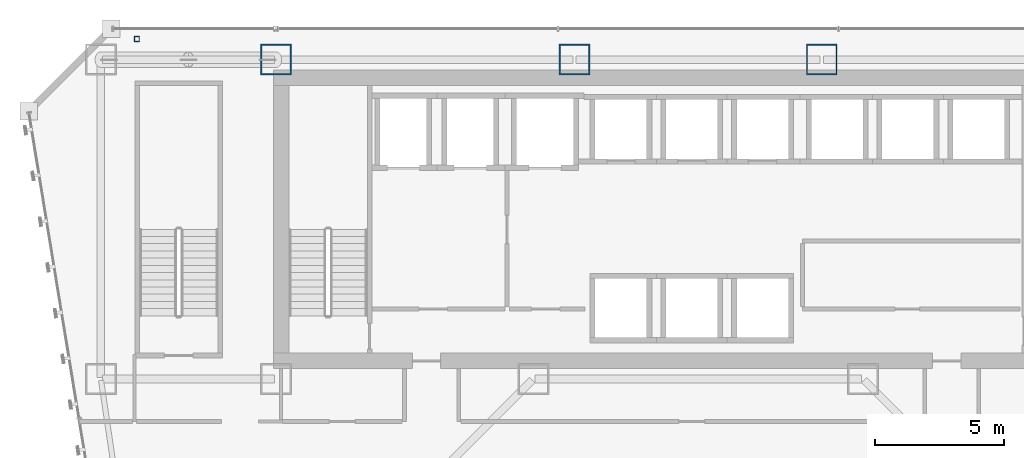
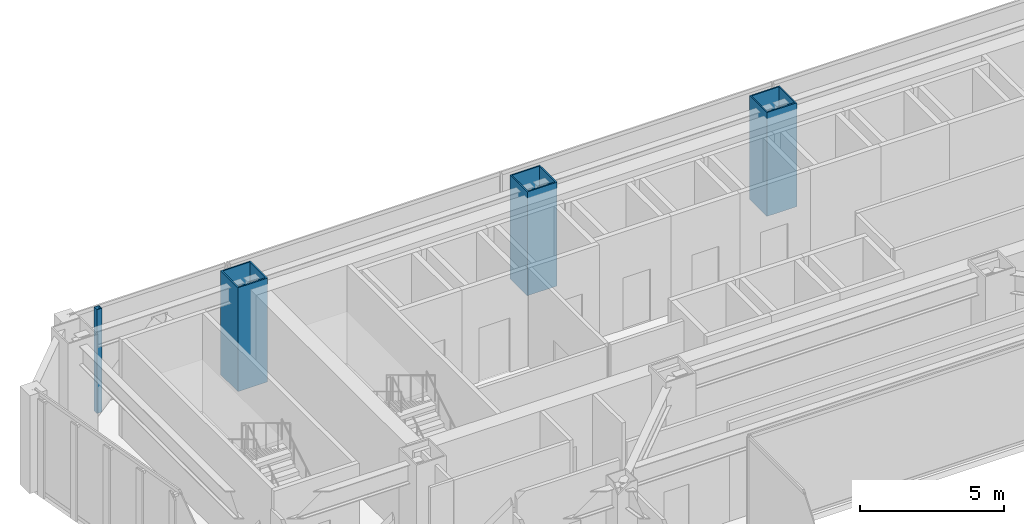
# One storey, part 2 of 47: 4 columns.
"""IFC4 building model written with IfcOpenShell, lengths in metres."""

from ifc_helpers import new_model, si_unit, direction, frame, origin, origin_2d, place, context, subcontext, project, spatial, hollow_rectangle, extrude, material, material_profile, profile_set, type_object, element, save


model = new_model("IFC4")

# Units and contexts
model_context = context("Model", 3, precision=1e-05, world=origin(), true_north=direction((0.0, 1.0)))
body_context = subcontext(model_context, "Body", "Model", "MODEL_VIEW")
ifc_project = project(units=[si_unit("LENGTHUNIT", "METRE"), si_unit("AREAUNIT", "SQUARE_METRE"), si_unit("VOLUMEUNIT", "CUBIC_METRE"), si_unit("PLANEANGLEUNIT", "RADIAN"), si_unit("MASSUNIT", "GRAM", prefix="KILO")], contexts=[model_context])

# Site, building, storey
site_placement = place(None, origin())
site = spatial("IfcSite", under=ifc_project, at=site_placement, CompositionType="ELEMENT")
building_placement = place(site_placement, origin())
building = spatial("IfcBuilding", under=site, at=building_placement, Name="Saevonmaru Cultural Tower", CompositionType="ELEMENT")
storey_placement = place(building_placement, frame((0.0, 0.0, 78.0)))
storey = spatial("IfcBuildingStorey", under=building, at=storey_placement, Name="L16", CompositionType="ELEMENT", Elevation=78.0)

# Columns
ifc_material_1 = material(Name="Steel HSA600 (600 MPa)", Category="steel")
ifc_material_profile_1 = material_profile(ifc_material_1, hollow_rectangle(XDim=1.199951171875, YDim=1.199951171875, WallThickness=0.054931640625, at=origin_2d()), Name="BOX-1200x1200x55")
ifc_profile_set_1 = profile_set([ifc_material_profile_1], Name="Steel HSA600 (600 MPa)")
column_type_1 = type_object("IfcColumnType", Name="COL-BOX-1200", PredefinedType="COLUMN", material=ifc_profile_set_1)
for number, where, z_axis, x_axis, name in (
    (1, (13.60009765625, 54.800048828125, 0.0), (0.0, 0.0, 1.0), (1.0, 0.0, 0.0), "L16 Column TC-N2N"),
    (2, (25.199951171875, 54.800048828125, 0.0), (0.0, 0.0, 1.0), (1.0, 0.0, 0.0), "L16 Column TC-N3N"),
    (3, (34.800048828125, 54.800048828125, 0.0), (0.0, 0.0, 1.0), (1.0, 0.0, 0.0), "L16 Column TC-N4N"),
):
    element("IfcColumn", number, at=place(storey_placement, frame(where, z_axis=z_axis, x_axis=x_axis)), inside=storey, type_object=column_type_1, Name=name, PredefinedType="COLUMN", context=body_context, shape_type="SweptSolid", body=[
        extrude(hollow_rectangle(XDim=1.199951171875, YDim=1.199951171875, WallThickness=0.054931640625, at=origin_2d()), origin(), (0.0, 0.0, 1.0), 4.39990234375),
    ])
ifc_material_2 = material(Name="Steel SM355", Category="steel")
ifc_material_profile_2 = material_profile(ifc_material_2, hollow_rectangle(XDim=0.199951171875, YDim=0.199951171875, WallThickness=0.010009765625, at=origin_2d()), Name="SHS-200x200x10")
ifc_profile_set_2 = profile_set([ifc_material_profile_2], Name="Steel SM355")
column_type_2 = type_object("IfcColumnType", Name="PIL-SHS-200", PredefinedType="PILASTER", material=ifc_profile_set_2)
column_placement = place(storey_placement, frame((8.199951171875, 55.60009765625, 0.0), z_axis=(0.0, 0.0, 1.0), x_axis=(1.0, 0.0, 0.0)))
element("IfcColumn", 4, at=column_placement, inside=storey, type_object=column_type_2, Name="L16 Art Deco Bronze-Clad Pilaster PIL-NW", PredefinedType="PILASTER", context=body_context, shape_type="SweptSolid", body=[
    extrude(hollow_rectangle(XDim=0.199951171875, YDim=0.199951171875, WallThickness=0.010009765625, at=origin_2d()), origin(), (0.0, 0.0, 1.0), 4.39990234375),
])

save(model, "model.ifc")
